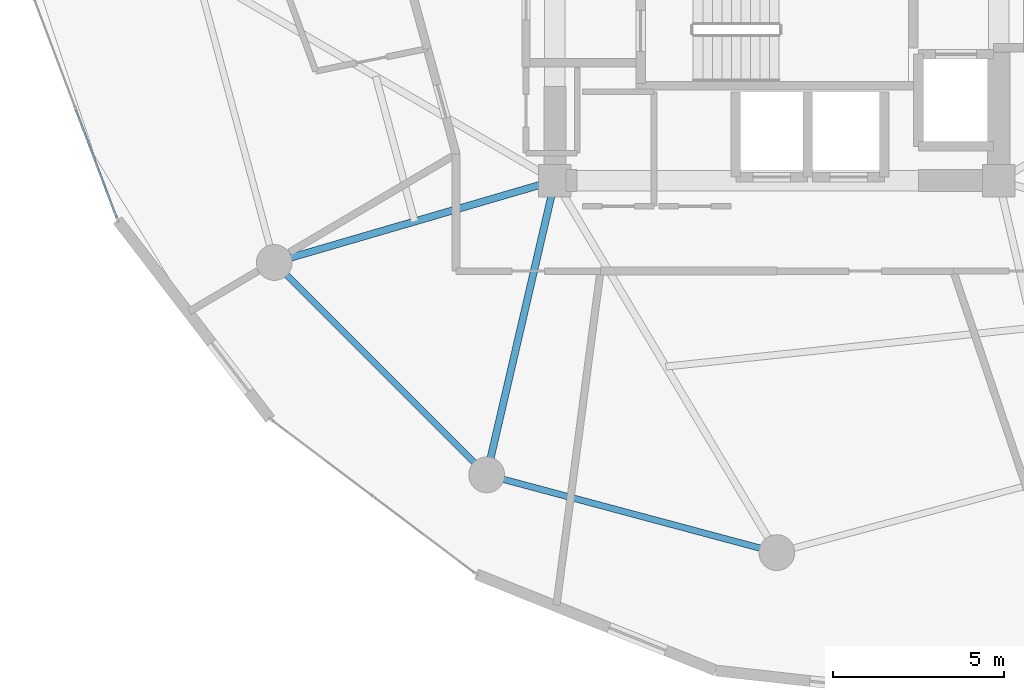
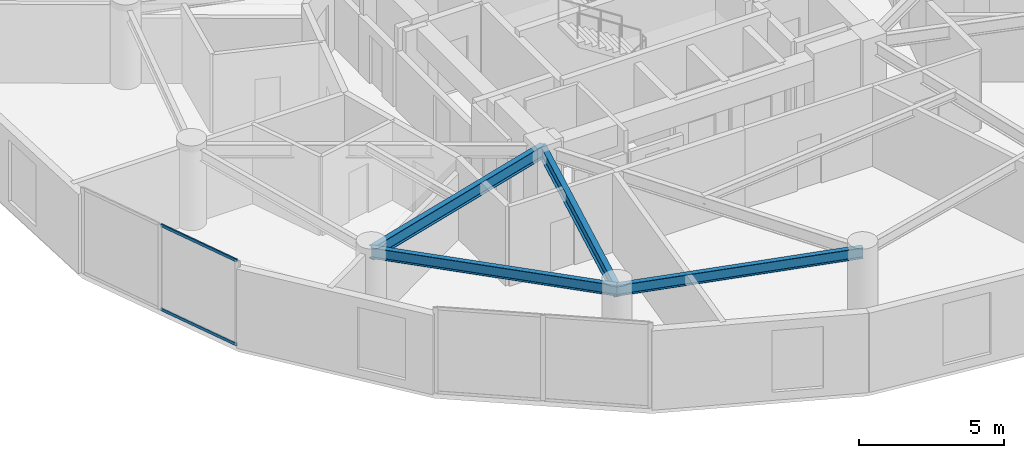
# One storey, part 3 of 23: 4 beams, 2 members, 1 element without a shape of its own.
"""IFC4 building model written with IfcOpenShell, lengths in metres."""

from ifc_helpers import new_model, si_unit, direction, frame, origin, origin_2d, place, context, subcontext, project, spatial, hollow_rectangle, i_section, extrude, source, transform, mapped, material, layer, layer_set, material_profile, profile_set, type_object, element, aggregate, save


model = new_model("IFC4")

# Units and contexts
model_context = context("Model", 3, precision=1e-05, world=origin(), true_north=direction((0.0, 1.0)))
body_context = subcontext(model_context, "Body", "Model", "MODEL_VIEW")
ifc_project = project(units=[si_unit("LENGTHUNIT", "METRE"), si_unit("AREAUNIT", "SQUARE_METRE"), si_unit("VOLUMEUNIT", "CUBIC_METRE"), si_unit("PLANEANGLEUNIT", "RADIAN"), si_unit("MASSUNIT", "GRAM", prefix="KILO")], contexts=[model_context])

# Site, building, storey
site_placement = place(None, origin())
site = spatial("IfcSite", under=ifc_project, at=site_placement, CompositionType="ELEMENT")
building_placement = place(site_placement, origin())
building = spatial("IfcBuilding", under=site, at=building_placement, Name="Solvirekh Grand Hotel", CompositionType="ELEMENT")
storey_placement = place(building_placement, frame((0.0, 0.0, 109.800048828125)))
storey = spatial("IfcBuildingStorey", under=building, at=storey_placement, Name="L27", CompositionType="ELEMENT", Elevation=109.800048828125)

# Beams
ifc_material_1 = material(Name="Steel S355", Category="steel")
ifc_material_profile_1 = material_profile(ifc_material_1, i_section(OverallWidth=0.2119140625, OverallDepth=0.5439453125, WebThickness=0.011962890625, FlangeThickness=0.01904296875, FilletRadius=0.013916015625, at=origin_2d()), Name="W530X123")
ifc_profile_set_1 = profile_set([ifc_material_profile_1], Name="Steel S355")
beam_type_1 = type_object("IfcBeamType", Name="Beam_Radial_W530H", PredefinedType="BEAM", material=ifc_profile_set_1)
beam_1_placement = place(storey_placement, frame((-6.5, -6.10009765625, 3.077880859375), z_axis=(-0.959942195467, -0.28019811092, 0.0), x_axis=(0.28019811092, -0.959942195467, 0.0)))
element("IfcBeam", 1, at=beam_1_placement, inside=storey, type_object=beam_type_1, Name="L27 radial floor beam R08", PredefinedType="BEAM", context=body_context, shape_type="SweptSolid", body=[
    extrude(i_section(OverallWidth=0.2119140625, OverallDepth=0.5439453125, WebThickness=0.011962890625, FlangeThickness=0.01904296875, FilletRadius=0.013916015625, at=origin_2d()), origin(), (0.0, 0.0, 1.0), 8.56494140625),
])
beam_2_placement = place(storey_placement, frame((-6.5, -6.10009765625, 3.077880859375), z_axis=(-0.225969390542, -0.974134402707, 0.0), x_axis=(0.974134402707, -0.225969390542, 0.0)))
element("IfcBeam", 2, at=beam_2_placement, inside=storey, type_object=beam_type_1, Name="L27 radial floor beam R09", PredefinedType="BEAM", context=body_context, shape_type="SweptSolid", body=[
    extrude(i_section(OverallWidth=0.2119140625, OverallDepth=0.5439453125, WebThickness=0.011962890625, FlangeThickness=0.01904296875, FilletRadius=0.013916015625, at=origin_2d()), origin(), (0.0, 0.0, 1.0), 8.850830078125),
])
ifc_material_profile_2 = material_profile(ifc_material_1, i_section(OverallWidth=0.18994140625, OverallDepth=0.45703125, WebThickness=0.009033203125, FlangeThickness=0.013916015625, FilletRadius=0.012939453125, at=origin_2d()), Name="W460X74")
ifc_profile_set_2 = profile_set([ifc_material_profile_2], Name="Steel S355")
beam_type_2 = type_object("IfcBeamType", Name="Spandrel_Ring_W460", PredefinedType="SPANDREL", material=ifc_profile_set_2)
beam_3_placement = place(storey_placement, frame((-14.721923828125, -8.5, 3.1220703125), z_axis=(0.707106781187, -0.707106781187, 0.0), x_axis=(0.707106781187, 0.707106781187, 0.0)))
element("IfcBeam", 3, at=beam_3_placement, inside=storey, type_object=beam_type_2, Name="L27 perimeter spandrel beam 8", PredefinedType="SPANDREL", context=body_context, shape_type="SweptSolid", body=[
    extrude(i_section(OverallWidth=0.18994140625, OverallDepth=0.45703125, WebThickness=0.009033203125, FlangeThickness=0.013916015625, FilletRadius=0.012939453125, at=origin_2d()), origin(), (0.0, 0.0, 1.0), 8.799072265625),
])
beam_4_placement = place(storey_placement, frame((-8.5, -14.721923828125, 3.1220703125), z_axis=(0.965911391906, -0.258872908946, 0.0), x_axis=(0.258872908946, 0.965911391906, 0.0)))
element("IfcBeam", 4, at=beam_4_placement, inside=storey, type_object=beam_type_2, Name="L27 perimeter spandrel beam 9", PredefinedType="SPANDREL", context=body_context, shape_type="SweptSolid", body=[
    extrude(i_section(OverallWidth=0.18994140625, OverallDepth=0.45703125, WebThickness=0.009033203125, FlangeThickness=0.013916015625, FilletRadius=0.012939453125, at=origin_2d()), origin(), (0.0, 0.0, 1.0), 8.800048828125),
])

# Curtain wall, members
ifc_material_2 = material(Name="Anodized Bronze Aluminium 6063-T6", Category="aluminium")
ifc_layer = layer(ifc_material_2, 0.175048828125)
ifc_layer_set = layer_set([ifc_layer], Name="Anodized Bronze Aluminium 6063-T6")
curtain_wall_type = type_object("IfcCurtainWallType", Name="CW_Sys3_MidZoneFlushBronzeCW", PredefinedType="NOTDEFINED", material=ifc_layer_set)
curtain_wall_placement = place(storey_placement, origin())
curtain_wall = element("IfcCurtainWall", 5, at=curtain_wall_placement, inside=storey, type_object=curtain_wall_type, Name="L27 unitised bronze-glass curtain wall CW-L27-C13", PredefinedType="NOTDEFINED")
ifc_material_profile_3 = material_profile(ifc_material_2, hollow_rectangle(XDim=0.054931640625, YDim=0.1201171875, WallThickness=0.00390625, at=origin_2d()), Name="ALU RHS 120X55X4")
ifc_profile_set_3 = profile_set([ifc_material_profile_3], Name="Anodized Bronze Aluminium 6063-T6")
member_type = type_object("IfcMemberType", Name="CWTransom_Sys3", PredefinedType="USERDEFINED", material=ifc_profile_set_3)
shared_shape = source(origin(), body_context, "Body", "SweptSolid", [
    extrude(hollow_rectangle(XDim=0.054931640625, YDim=0.1201171875, WallThickness=0.00390625, at=origin_2d()), origin(), (0.0, 0.0, 1.0), 3.397216796875),
])
member_1_placement = place(storey_placement, frame((-20.5390625, -4.0224609375, 0.02734375), z_axis=(0.353579450188, -0.935404496677, 0.0), x_axis=(0.935404496677, 0.353579450188, 0.0)))
member_1 = element("IfcMember", 6, at=member_1_placement, type_object=member_type, Name="U03 transom 2.1", ObjectType="TRANSOM", PredefinedType="USERDEFINED", context=body_context, shape_type="MappedRepresentation", body=[
    mapped(shared_shape, transform((0.0, 0.0, 0.0), x_axis=(1.0, 0.0, 0.0), y_axis=(0.0, 1.0, 0.0), z_axis=(0.0, 0.0, 1.0), scale=1.0)),
])
member_2_placement = place(storey_placement, frame((-20.5390625, -4.0224609375, 3.572509765625), z_axis=(0.353579450188, -0.935404496677, 0.0), x_axis=(0.935404496677, 0.353579450188, 0.0)))
member_2 = element("IfcMember", 7, at=member_2_placement, type_object=member_type, Name="U03 transom 2.2", ObjectType="TRANSOM", PredefinedType="USERDEFINED", context=body_context, shape_type="MappedRepresentation", body=[
    mapped(shared_shape, transform((0.0, 0.0, 0.0), x_axis=(1.0, 0.0, 0.0), y_axis=(0.0, 1.0, 0.0), z_axis=(0.0, 0.0, 1.0), scale=1.0)),
])
aggregate(curtain_wall, [member_1, member_2])

save(model, "model.ifc")
